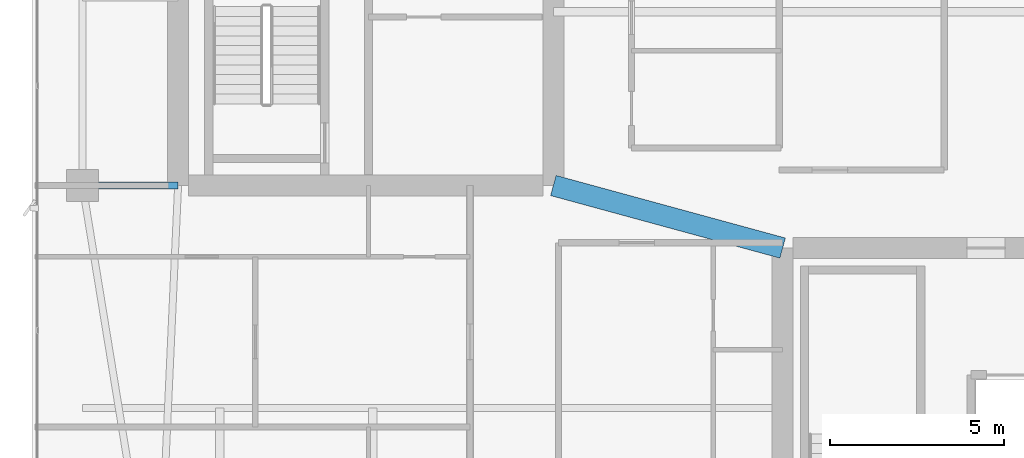
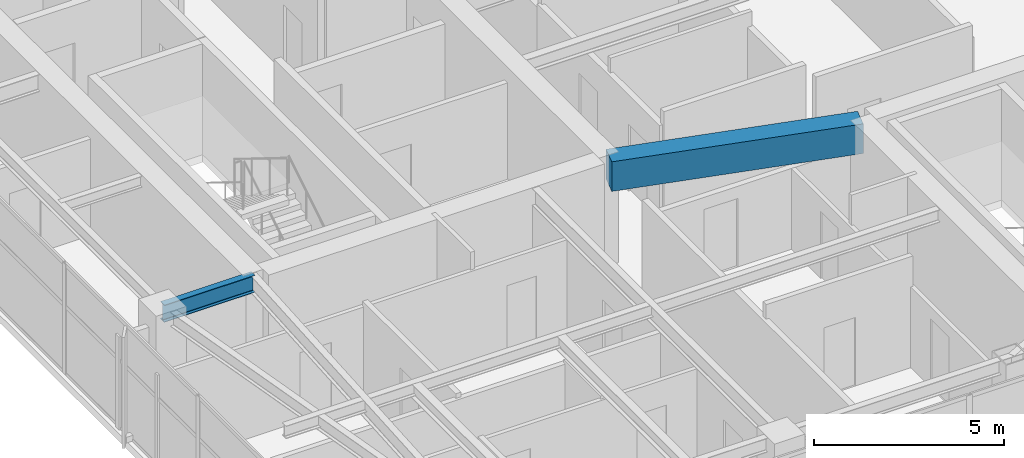
# One storey, part 9 of 27: 2 beams.
"""IFC4 building model written with IfcOpenShell, lengths in metres."""

from ifc_helpers import new_model, si_unit, direction, frame, origin, origin_2d, place, context, subcontext, project, spatial, rectangle, i_section, extrude, material, material_profile, profile_set, type_object, element, save


model = new_model("IFC4")

# Units and contexts
model_context = context("Model", 3, precision=1e-05, world=origin(), true_north=direction((0.0, 1.0)))
body_context = subcontext(model_context, "Body", "Model", "MODEL_VIEW")
ifc_project = project(units=[si_unit("LENGTHUNIT", "METRE"), si_unit("AREAUNIT", "SQUARE_METRE"), si_unit("VOLUMEUNIT", "CUBIC_METRE"), si_unit("PLANEANGLEUNIT", "RADIAN"), si_unit("MASSUNIT", "GRAM", prefix="KILO")], contexts=[model_context])

# Site, building, storey
site_placement = place(None, origin())
site = spatial("IfcSite", under=ifc_project, at=site_placement, CompositionType="ELEMENT")
building_placement = place(site_placement, origin())
building = spatial("IfcBuilding", under=site, at=building_placement, Name="Calvorn Quay Hotel", CompositionType="ELEMENT")
storey_placement = place(building_placement, frame((0.0, 0.0, 298.699951171875)))
storey = spatial("IfcBuildingStorey", under=building, at=storey_placement, Name="L74", CompositionType="ELEMENT", Elevation=298.699951171875)

# Beams
ifc_material_1 = material(Name="Steel Q355B", Category="steel")
ifc_material_profile_1 = material_profile(ifc_material_1, i_section(OverallWidth=0.199951171875, OverallDepth=0.550048828125, WebThickness=0.010009765625, FlangeThickness=0.01611328125, FilletRadius=0.01806640625, at=origin_2d()), Name="HN550x200x10x16")
ifc_profile_set_1 = profile_set([ifc_material_profile_1], Name="Steel Q355B")
beam_type_1 = type_object("IfcBeamType", Name="BM-GIRD-UPP", PredefinedType="BEAM", material=ifc_profile_set_1)
beam_1_placement = place(storey_placement, frame((1.449951171875, 16.800048828125, 3.26513671875), z_axis=(1.0, 0.0, 0.0), x_axis=(0.0, 1.0, 0.0)))
element("IfcBeam", 1, at=beam_1_placement, inside=storey, type_object=beam_type_1, Name="Beam BG-L74-W1", PredefinedType="BEAM", context=body_context, shape_type="SweptSolid", body=[
    extrude(i_section(OverallWidth=0.199951171875, OverallDepth=0.550048828125, WebThickness=0.010009765625, FlangeThickness=0.01611328125, FilletRadius=0.01806640625, at=origin_2d()), origin(), (0.0, 0.0, 1.0), 2.75),
])
ifc_material_2 = material(Name="Concrete C45", Category="concrete")
ifc_material_profile_2 = material_profile(ifc_material_2, rectangle(XDim=0.60009765625, YDim=0.949951171875, at=origin_2d()), Name="RCB600x950")
ifc_profile_set_2 = profile_set([ifc_material_profile_2], Name="Concrete C45")
beam_type_2 = type_object("IfcBeamType", Name="BM-RC-LINK-600x950", PredefinedType="BEAM", material=ifc_profile_set_2)
beam_2_placement = place(storey_placement, frame((15.0, 16.800048828125, 3.06494140625), z_axis=(0.964762997686, -0.263120425462, 0.0), x_axis=(0.263120425462, 0.964762997686, 0.0)))
element("IfcBeam", 2, at=beam_2_placement, inside=storey, type_object=beam_type_2, Name="Beam BCL-L74-01", PredefinedType="BEAM", context=body_context, shape_type="SweptSolid", body=[
    extrude(rectangle(XDim=0.60009765625, YDim=0.949951171875, at=origin_2d()), origin(), (0.0, 0.0, 1.0), 6.841064453125),
])

save(model, "model.ifc")
